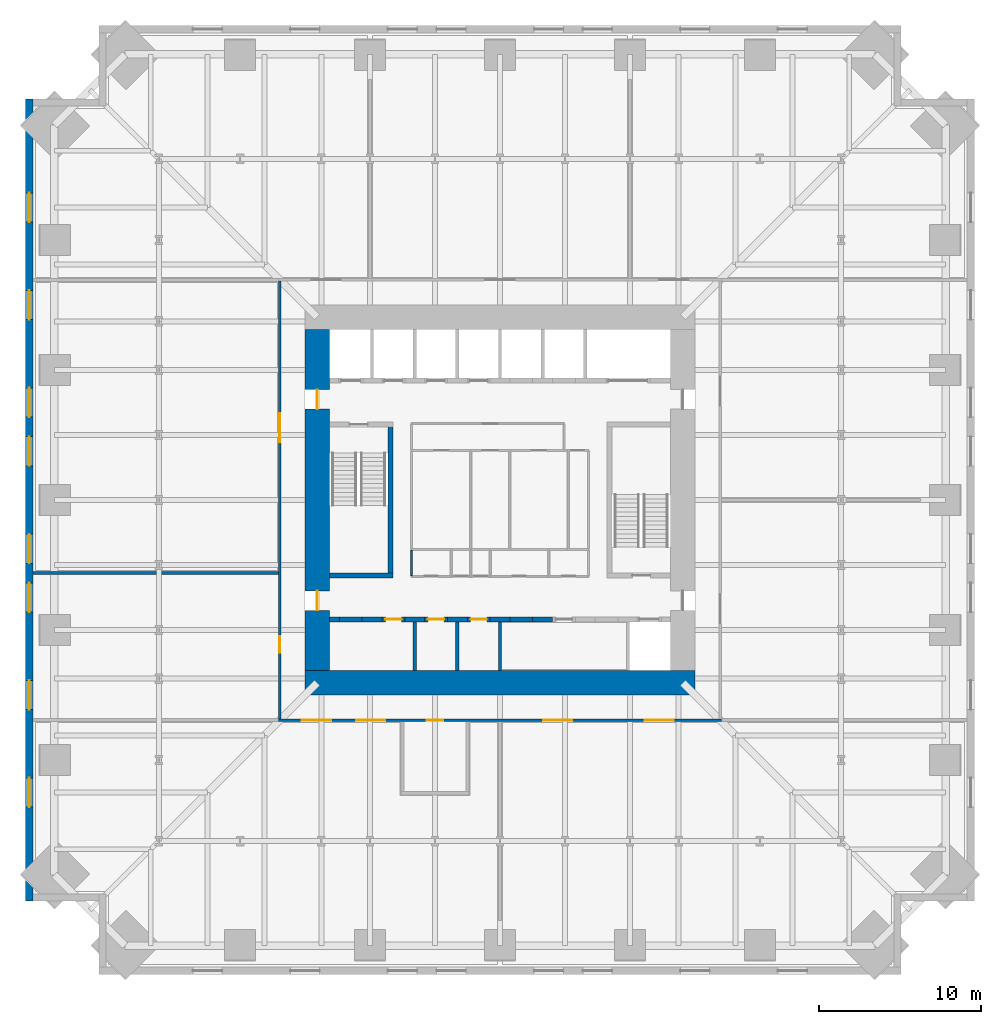
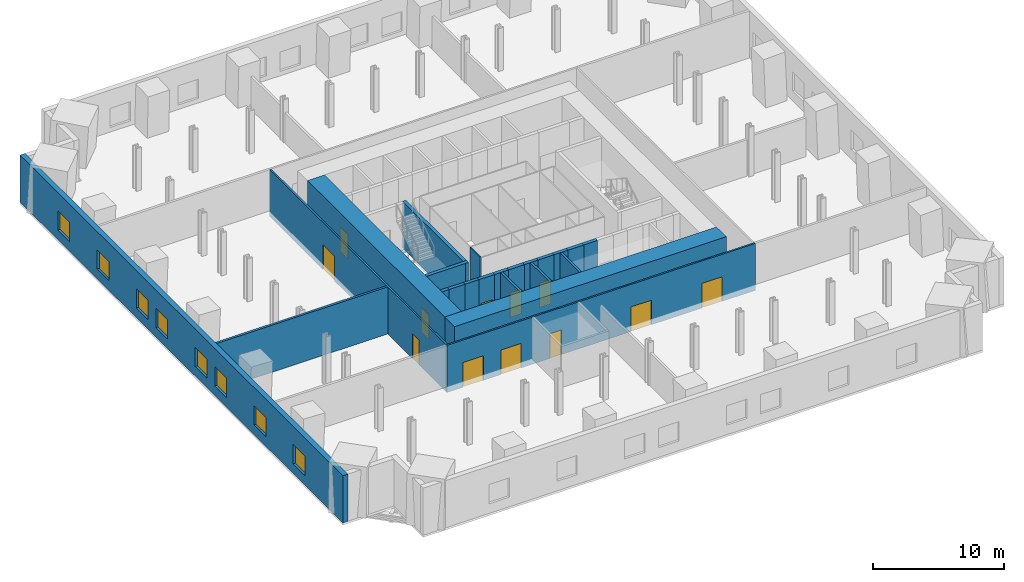
# One storey, part 4 of 8: 23 walls, 12 doors, 8 windows, 20 openings.
"""IFC4 building model written with IfcOpenShell, lengths in metres."""

from ifc_helpers import new_model, si_unit, direction, frame, frame_2d, origin, place, context, subcontext, project, spatial, rectangle, extrude, material, layer, layer_set, type_object, element, fill, save


model = new_model("IFC4")

# Units and contexts
model_context = context("Model", 3, precision=1e-05, world=origin(), true_north=direction((0.0, 1.0)))
body_context = subcontext(model_context, "Body", "Model", "MODEL_VIEW")
ifc_project = project(units=[si_unit("LENGTHUNIT", "METRE"), si_unit("AREAUNIT", "SQUARE_METRE"), si_unit("VOLUMEUNIT", "CUBIC_METRE"), si_unit("PLANEANGLEUNIT", "RADIAN"), si_unit("MASSUNIT", "GRAM", prefix="KILO")], contexts=[model_context])

# Site, building, storey
site_placement = place(None, origin())
site = spatial("IfcSite", under=ifc_project, at=site_placement, CompositionType="ELEMENT")
building_placement = place(site_placement, origin())
building = spatial("IfcBuilding", under=site, at=building_placement, Name="Peilmerk Tower", CompositionType="ELEMENT")
storey_placement = place(building_placement, frame((0.0, 0.0, 86.0)))
storey = spatial("IfcBuildingStorey", under=building, at=storey_placement, Name="L16", CompositionType="ELEMENT", Elevation=86.0)

# Wall, openings, windows
ifc_material_1 = material(Name="Precast concrete C45/55, board-marked finish", Category="concrete")
ifc_layer_1 = layer(ifc_material_1, 0.449951171875)
ifc_layer_set_1 = layer_set([ifc_layer_1], Name="Precast concrete C45/55, board-marked finish")
wall_type_1 = type_object("IfcWallType", Name="EW1 450 precast concrete facade wall, board-marked", PredefinedType="SOLIDWALL", material=ifc_layer_set_1)
wall_1_placement = place(storey_placement, frame((-28.97509765625, 24.699951171875, 0.0), z_axis=(0.0, 0.0, 1.0), x_axis=(0.0, -1.0, 0.0)))
wall_1 = element("IfcWall", 1, at=wall_1_placement, inside=storey, type_object=wall_type_1, Name="Facade wall W L16", PredefinedType="SOLIDWALL", context=body_context, shape_type="SweptSolid", body=[
    extrude(rectangle(XDim=49.39990234375, YDim=0.449951171875, at=frame_2d((24.699951171875, 0.0))), origin(), (0.0, 0.0, 1.0), 4.39990234375),
])
opening_1_placement = place(wall_1_placement, frame((5.800048828125, 0.0, 0.89990234375)))
opening_1 = element("IfcOpeningElement", 2, at=opening_1_placement, cuts=wall_1, Name="Opening W3", PredefinedType="OPENING", context=body_context, shape_type="SweptSolid", body=[
    extrude(rectangle(XDim=1.800048828125, YDim=1.800048828125, at=frame_2d((0.89990234375, 0.89990234375))), frame((0.0, 0.23486328125, 0.0), z_axis=(0.0, -1.0, 0.0), x_axis=(1.0, 0.0, 0.0)), (0.0, 0.0, 1.0), 0.469970703125),
])
opening_2_placement = place(wall_1_placement, frame((11.800048828125, 0.0, 0.89990234375)))
opening_2 = element("IfcOpeningElement", 3, at=opening_2_placement, cuts=wall_1, Name="Opening W3", PredefinedType="OPENING", context=body_context, shape_type="SweptSolid", body=[
    extrude(rectangle(XDim=1.800048828125, YDim=1.800048828125, at=frame_2d((0.89990234375, 0.89990234375))), frame((0.0, 0.23486328125, 0.0), z_axis=(0.0, -1.0, 0.0), x_axis=(1.0, 0.0, 0.0)), (0.0, 0.0, 1.0), 0.469970703125),
])
opening_3_placement = place(wall_1_placement, frame((17.800048828125, 0.0, 0.89990234375)))
opening_3 = element("IfcOpeningElement", 4, at=opening_3_placement, cuts=wall_1, Name="Opening W3", PredefinedType="OPENING", context=body_context, shape_type="SweptSolid", body=[
    extrude(rectangle(XDim=1.800048828125, YDim=1.800048828125, at=frame_2d((0.89990234375, 0.89990234375))), frame((0.0, 0.23486328125, 0.0), z_axis=(0.0, -1.0, 0.0), x_axis=(1.0, 0.0, 0.0)), (0.0, 0.0, 1.0), 0.469970703125),
])
opening_4_placement = place(wall_1_placement, frame((20.800048828125, 0.0, 0.89990234375)))
opening_4 = element("IfcOpeningElement", 5, at=opening_4_placement, cuts=wall_1, Name="Opening W3", PredefinedType="OPENING", context=body_context, shape_type="SweptSolid", body=[
    extrude(rectangle(XDim=1.800048828125, YDim=1.800048828125, at=frame_2d((0.89990234375, 0.89990234375))), frame((0.0, 0.23486328125, 0.0), z_axis=(0.0, -1.0, 0.0), x_axis=(1.0, 0.0, 0.0)), (0.0, 0.0, 1.0), 0.469970703125),
])
opening_5_placement = place(wall_1_placement, frame((26.800048828125, 0.0, 0.89990234375)))
opening_5 = element("IfcOpeningElement", 6, at=opening_5_placement, cuts=wall_1, Name="Opening W3", PredefinedType="OPENING", context=body_context, shape_type="SweptSolid", body=[
    extrude(rectangle(XDim=1.800048828125, YDim=1.800048828125, at=frame_2d((0.89990234375, 0.89990234375))), frame((0.0, 0.23486328125, 0.0), z_axis=(0.0, -1.0, 0.0), x_axis=(1.0, 0.0, 0.0)), (0.0, 0.0, 1.0), 0.469970703125),
])
opening_6_placement = place(wall_1_placement, frame((29.800048828125, 0.0, 0.89990234375)))
opening_6 = element("IfcOpeningElement", 7, at=opening_6_placement, cuts=wall_1, Name="Opening W3", PredefinedType="OPENING", context=body_context, shape_type="SweptSolid", body=[
    extrude(rectangle(XDim=1.800048828125, YDim=1.800048828125, at=frame_2d((0.89990234375, 0.89990234375))), frame((0.0, 0.23486328125, 0.0), z_axis=(0.0, -1.0, 0.0), x_axis=(1.0, 0.0, 0.0)), (0.0, 0.0, 1.0), 0.469970703125),
])
opening_7_placement = place(wall_1_placement, frame((35.800048828125, 0.0, 0.89990234375)))
opening_7 = element("IfcOpeningElement", 8, at=opening_7_placement, cuts=wall_1, Name="Opening W3", PredefinedType="OPENING", context=body_context, shape_type="SweptSolid", body=[
    extrude(rectangle(XDim=1.800048828125, YDim=1.800048828125, at=frame_2d((0.89990234375, 0.89990234375))), frame((0.0, 0.23486328125, 0.0), z_axis=(0.0, -1.0, 0.0), x_axis=(1.0, 0.0, 0.0)), (0.0, 0.0, 1.0), 0.469970703125),
])
opening_8_placement = place(wall_1_placement, frame((41.800048828125, 0.0, 0.89990234375)))
opening_8 = element("IfcOpeningElement", 9, at=opening_8_placement, cuts=wall_1, Name="Opening W3", PredefinedType="OPENING", context=body_context, shape_type="SweptSolid", body=[
    extrude(rectangle(XDim=1.800048828125, YDim=1.800048828125, at=frame_2d((0.89990234375, 0.89990234375))), frame((0.0, 0.23486328125, 0.0), z_axis=(0.0, -1.0, 0.0), x_axis=(1.0, 0.0, 0.0)), (0.0, 0.0, 1.0), 0.469970703125),
])
ifc_material_2 = material(Name="Aluminium frame, clear double glazing", Category="aluminium")
window_type = type_object("IfcWindowType", Name="W3 1800x1800 telecom floor window", PartitioningType="SINGLE_PANEL", PredefinedType="WINDOW", material=ifc_material_2)
window_1_placement = place(opening_1_placement, origin())
window_1 = element("IfcWindow", 10, at=window_1_placement, inside=storey, type_object=window_type, Name="Window W3 L16", OverallHeight=1.800048828125, OverallWidth=1.800048828125, PartitioningType="SINGLE_PANEL", PredefinedType="WINDOW", context=body_context, shape_type="SweptSolid", body=[
    extrude(rectangle(XDim=1.800048828125, YDim=1.800048828125, at=frame_2d((0.89990234375, 0.89990234375))), frame((0.0, 0.030029296875, 0.0), z_axis=(0.0, -1.0, 0.0), x_axis=(1.0, 0.0, 0.0)), (0.0, 0.0, 1.0), 0.06005859375),
])
fill(opening_1, window_1)
window_2_placement = place(opening_2_placement, origin())
window_2 = element("IfcWindow", 11, at=window_2_placement, inside=storey, type_object=window_type, Name="Window W3 L16", OverallHeight=1.800048828125, OverallWidth=1.800048828125, PartitioningType="SINGLE_PANEL", PredefinedType="WINDOW", context=body_context, shape_type="SweptSolid", body=[
    extrude(rectangle(XDim=1.800048828125, YDim=1.800048828125, at=frame_2d((0.89990234375, 0.89990234375))), frame((0.0, 0.030029296875, 0.0), z_axis=(0.0, -1.0, 0.0), x_axis=(1.0, 0.0, 0.0)), (0.0, 0.0, 1.0), 0.06005859375),
])
fill(opening_2, window_2)
window_3_placement = place(opening_3_placement, origin())
window_3 = element("IfcWindow", 12, at=window_3_placement, inside=storey, type_object=window_type, Name="Window W3 L16", OverallHeight=1.800048828125, OverallWidth=1.800048828125, PartitioningType="SINGLE_PANEL", PredefinedType="WINDOW", context=body_context, shape_type="SweptSolid", body=[
    extrude(rectangle(XDim=1.800048828125, YDim=1.800048828125, at=frame_2d((0.89990234375, 0.89990234375))), frame((0.0, 0.030029296875, 0.0), z_axis=(0.0, -1.0, 0.0), x_axis=(1.0, 0.0, 0.0)), (0.0, 0.0, 1.0), 0.06005859375),
])
fill(opening_3, window_3)
window_4_placement = place(opening_4_placement, origin())
window_4 = element("IfcWindow", 13, at=window_4_placement, inside=storey, type_object=window_type, Name="Window W3 L16", OverallHeight=1.800048828125, OverallWidth=1.800048828125, PartitioningType="SINGLE_PANEL", PredefinedType="WINDOW", context=body_context, shape_type="SweptSolid", body=[
    extrude(rectangle(XDim=1.800048828125, YDim=1.800048828125, at=frame_2d((0.89990234375, 0.89990234375))), frame((0.0, 0.030029296875, 0.0), z_axis=(0.0, -1.0, 0.0), x_axis=(1.0, 0.0, 0.0)), (0.0, 0.0, 1.0), 0.06005859375),
])
fill(opening_4, window_4)
window_5_placement = place(opening_5_placement, origin())
window_5 = element("IfcWindow", 14, at=window_5_placement, inside=storey, type_object=window_type, Name="Window W3 L16", OverallHeight=1.800048828125, OverallWidth=1.800048828125, PartitioningType="SINGLE_PANEL", PredefinedType="WINDOW", context=body_context, shape_type="SweptSolid", body=[
    extrude(rectangle(XDim=1.800048828125, YDim=1.800048828125, at=frame_2d((0.89990234375, 0.89990234375))), frame((0.0, 0.030029296875, 0.0), z_axis=(0.0, -1.0, 0.0), x_axis=(1.0, 0.0, 0.0)), (0.0, 0.0, 1.0), 0.06005859375),
])
fill(opening_5, window_5)
window_6_placement = place(opening_6_placement, origin())
window_6 = element("IfcWindow", 15, at=window_6_placement, inside=storey, type_object=window_type, Name="Window W3 L16", OverallHeight=1.800048828125, OverallWidth=1.800048828125, PartitioningType="SINGLE_PANEL", PredefinedType="WINDOW", context=body_context, shape_type="SweptSolid", body=[
    extrude(rectangle(XDim=1.800048828125, YDim=1.800048828125, at=frame_2d((0.89990234375, 0.89990234375))), frame((0.0, 0.030029296875, 0.0), z_axis=(0.0, -1.0, 0.0), x_axis=(1.0, 0.0, 0.0)), (0.0, 0.0, 1.0), 0.06005859375),
])
fill(opening_6, window_6)
window_7_placement = place(opening_7_placement, origin())
window_7 = element("IfcWindow", 16, at=window_7_placement, inside=storey, type_object=window_type, Name="Window W3 L16", OverallHeight=1.800048828125, OverallWidth=1.800048828125, PartitioningType="SINGLE_PANEL", PredefinedType="WINDOW", context=body_context, shape_type="SweptSolid", body=[
    extrude(rectangle(XDim=1.800048828125, YDim=1.800048828125, at=frame_2d((0.89990234375, 0.89990234375))), frame((0.0, 0.030029296875, 0.0), z_axis=(0.0, -1.0, 0.0), x_axis=(1.0, 0.0, 0.0)), (0.0, 0.0, 1.0), 0.06005859375),
])
fill(opening_7, window_7)
window_8_placement = place(opening_8_placement, origin())
window_8 = element("IfcWindow", 17, at=window_8_placement, inside=storey, type_object=window_type, Name="Window W3 L16", OverallHeight=1.800048828125, OverallWidth=1.800048828125, PartitioningType="SINGLE_PANEL", PredefinedType="WINDOW", context=body_context, shape_type="SweptSolid", body=[
    extrude(rectangle(XDim=1.800048828125, YDim=1.800048828125, at=frame_2d((0.89990234375, 0.89990234375))), frame((0.0, 0.030029296875, 0.0), z_axis=(0.0, -1.0, 0.0), x_axis=(1.0, 0.0, 0.0)), (0.0, 0.0, 1.0), 0.06005859375),
])
fill(opening_8, window_8)

# Wall, openings, doors
ifc_material_3 = material(Name="Calcium silicate block", Category="masonry")
ifc_layer_2 = layer(ifc_material_3, 0.14990234375)
ifc_layer_set_2 = layer_set([ifc_layer_2], Name="Calcium silicate block")
wall_type_2 = type_object("IfcWallType", Name="IW1 150 corridor partition, EI 60", PredefinedType="PARTITIONING", material=ifc_layer_set_2)
wall_2_placement = place(storey_placement, frame((13.625, -13.550048828125, 0.0), z_axis=(0.0, 0.0, 1.0), x_axis=(-1.0, 0.0, 0.0)))
wall_2 = element("IfcWall", 18, at=wall_2_placement, inside=storey, type_object=wall_type_2, Name="Corridor wall S L16", PredefinedType="PARTITIONING", context=body_context, shape_type="SweptSolid", body=[
    extrude(rectangle(XDim=27.25, YDim=0.14990234375, at=frame_2d((13.625, 0.0))), origin(), (0.0, 0.0, 1.0), 4.39990234375),
])
opening_9_placement = place(wall_2_placement, frame((24.02490234375, 0.0, 0.0)))
opening_9 = element("IfcOpeningElement", 19, at=opening_9_placement, cuts=wall_2, Name="Opening D2", PredefinedType="OPENING", context=body_context, shape_type="SweptSolid", body=[
    extrude(rectangle(XDim=1.800048828125, YDim=2.300048828125, at=frame_2d((0.89990234375, 1.14990234375))), frame((0.0, 0.0849609375, 0.0), z_axis=(0.0, -1.0, 0.0), x_axis=(1.0, 0.0, 0.0)), (0.0, 0.0, 1.0), 0.169921875),
])
opening_10_placement = place(wall_2_placement, frame((20.675048828125, 0.0, 0.0)))
opening_10 = element("IfcOpeningElement", 20, at=opening_10_placement, cuts=wall_2, Name="Opening D2", PredefinedType="OPENING", context=body_context, shape_type="SweptSolid", body=[
    extrude(rectangle(XDim=1.800048828125, YDim=2.300048828125, at=frame_2d((0.89990234375, 1.14990234375))), frame((0.0, 0.0849609375, 0.0), z_axis=(0.0, -1.0, 0.0), x_axis=(1.0, 0.0, 0.0)), (0.0, 0.0, 1.0), 0.169921875),
])
opening_11_placement = place(wall_2_placement, frame((9.175048828125, 0.0, 0.0)))
opening_11 = element("IfcOpeningElement", 21, at=opening_11_placement, cuts=wall_2, Name="Opening D2", PredefinedType="OPENING", context=body_context, shape_type="SweptSolid", body=[
    extrude(rectangle(XDim=1.800048828125, YDim=2.300048828125, at=frame_2d((0.89990234375, 1.14990234375))), frame((0.0, 0.0849609375, 0.0), z_axis=(0.0, -1.0, 0.0), x_axis=(1.0, 0.0, 0.0)), (0.0, 0.0, 1.0), 0.169921875),
])
opening_12_placement = place(wall_2_placement, frame((2.925048828125, 0.0, 0.0)))
opening_12 = element("IfcOpeningElement", 22, at=opening_12_placement, cuts=wall_2, Name="Opening D2", PredefinedType="OPENING", context=body_context, shape_type="SweptSolid", body=[
    extrude(rectangle(XDim=1.800048828125, YDim=2.300048828125, at=frame_2d((0.89990234375, 1.14990234375))), frame((0.0, 0.0849609375, 0.0), z_axis=(0.0, -1.0, 0.0), x_axis=(1.0, 0.0, 0.0)), (0.0, 0.0, 1.0), 0.169921875),
])
opening_13_placement = place(wall_2_placement, frame((17.125, 0.0, 0.0)))
opening_13 = element("IfcOpeningElement", 23, at=opening_13_placement, cuts=wall_2, Name="Opening D1", PredefinedType="OPENING", context=body_context, shape_type="SweptSolid", body=[
    extrude(rectangle(XDim=1.0, YDim=2.300048828125, at=frame_2d((0.5, 1.14990234375))), frame((0.0, 0.0849609375, 0.0), z_axis=(0.0, -1.0, 0.0), x_axis=(1.0, 0.0, 0.0)), (0.0, 0.0, 1.0), 0.169921875),
])
ifc_material_4 = material(Name="Timber door in steel frame", Category="steel")
door_type_1 = type_object("IfcDoorType", Name="D1 1000x2300 room door, EI2 30", OperationType="SINGLE_SWING_LEFT", PredefinedType="DOOR", material=ifc_material_4)
door_1_placement = place(opening_13_placement, origin())
door_1 = element("IfcDoor", 24, at=door_1_placement, inside=storey, type_object=door_type_1, Name="Door Operations office L16", OperationType="SINGLE_SWING_LEFT", OverallHeight=2.300048828125, OverallWidth=1.0, PredefinedType="DOOR", context=body_context, shape_type="SweptSolid", body=[
    extrude(rectangle(XDim=1.0, YDim=2.300048828125, at=frame_2d((0.5, 1.14990234375))), frame((0.0, 0.02490234375, 0.0), z_axis=(0.0, -1.0, 0.0), x_axis=(1.0, 0.0, 0.0)), (0.0, 0.0, 1.0), 0.050048828125),
])
fill(opening_13, door_1)
ifc_material_5 = material(Name="Steel door in steel frame", Category="steel")
door_type_2 = type_object("IfcDoorType", Name="D2 1800x2300 double door, EI2 60", OperationType="DOUBLE_DOOR_DOUBLE_SWING", PredefinedType="DOOR", material=ifc_material_5)
door_2_placement = place(opening_9_placement, origin())
door_2 = element("IfcDoor", 25, at=door_2_placement, inside=storey, type_object=door_type_2, Name="Door Carrier room A L16", OperationType="DOUBLE_DOOR_DOUBLE_SWING", OverallHeight=2.300048828125, OverallWidth=1.800048828125, PredefinedType="DOOR", context=body_context, shape_type="SweptSolid", body=[
    extrude(rectangle(XDim=1.800048828125, YDim=2.300048828125, at=frame_2d((0.89990234375, 1.14990234375))), frame((0.0, 0.02490234375, 0.0), z_axis=(0.0, -1.0, 0.0), x_axis=(1.0, 0.0, 0.0)), (0.0, 0.0, 1.0), 0.050048828125),
])
fill(opening_9, door_2)
door_3_placement = place(opening_10_placement, origin())
door_3 = element("IfcDoor", 26, at=door_3_placement, inside=storey, type_object=door_type_2, Name="Door Carrier room A L16", OperationType="DOUBLE_DOOR_DOUBLE_SWING", OverallHeight=2.300048828125, OverallWidth=1.800048828125, PredefinedType="DOOR", context=body_context, shape_type="SweptSolid", body=[
    extrude(rectangle(XDim=1.800048828125, YDim=2.300048828125, at=frame_2d((0.89990234375, 1.14990234375))), frame((0.0, 0.02490234375, 0.0), z_axis=(0.0, -1.0, 0.0), x_axis=(1.0, 0.0, 0.0)), (0.0, 0.0, 1.0), 0.050048828125),
])
fill(opening_10, door_3)
door_4_placement = place(opening_11_placement, origin())
door_4 = element("IfcDoor", 27, at=door_4_placement, inside=storey, type_object=door_type_2, Name="Door Carrier room B L16", OperationType="DOUBLE_DOOR_DOUBLE_SWING", OverallHeight=2.300048828125, OverallWidth=1.800048828125, PredefinedType="DOOR", context=body_context, shape_type="SweptSolid", body=[
    extrude(rectangle(XDim=1.800048828125, YDim=2.300048828125, at=frame_2d((0.89990234375, 1.14990234375))), frame((0.0, 0.02490234375, 0.0), z_axis=(0.0, -1.0, 0.0), x_axis=(1.0, 0.0, 0.0)), (0.0, 0.0, 1.0), 0.050048828125),
])
fill(opening_11, door_4)
door_5_placement = place(opening_12_placement, origin())
door_5 = element("IfcDoor", 28, at=door_5_placement, inside=storey, type_object=door_type_2, Name="Door Carrier room B L16", OperationType="DOUBLE_DOOR_DOUBLE_SWING", OverallHeight=2.300048828125, OverallWidth=1.800048828125, PredefinedType="DOOR", context=body_context, shape_type="SweptSolid", body=[
    extrude(rectangle(XDim=1.800048828125, YDim=2.300048828125, at=frame_2d((0.89990234375, 1.14990234375))), frame((0.0, 0.02490234375, 0.0), z_axis=(0.0, -1.0, 0.0), x_axis=(1.0, 0.0, 0.0)), (0.0, 0.0, 1.0), 0.050048828125),
])
fill(opening_12, door_5)

wall_3_placement = place(storey_placement, frame((-13.550048828125, 13.47509765625, 0.0), z_axis=(0.0, 0.0, 1.0), x_axis=(0.0, -1.0, 0.0)))
wall_3 = element("IfcWall", 29, at=wall_3_placement, inside=storey, type_object=wall_type_2, Name="Corridor wall W L16", PredefinedType="PARTITIONING", context=body_context, shape_type="SweptSolid", body=[
    extrude(rectangle(XDim=26.9501953125, YDim=0.14990234375, at=frame_2d((13.47509765625, 0.0))), origin(), (0.0, 0.0, 1.0), 4.39990234375),
])
opening_14_placement = place(wall_3_placement, frame((21.875, 0.0, 0.0)))
opening_14 = element("IfcOpeningElement", 30, at=opening_14_placement, cuts=wall_3, Name="Opening D1", PredefinedType="OPENING", context=body_context, shape_type="SweptSolid", body=[
    extrude(rectangle(XDim=1.0, YDim=2.300048828125, at=frame_2d((0.5, 1.14990234375))), frame((0.0, 0.0849609375, 0.0), z_axis=(0.0, -1.0, 0.0), x_axis=(1.0, 0.0, 0.0)), (0.0, 0.0, 1.0), 0.169921875),
])
opening_15_placement = place(wall_3_placement, frame((8.125, 0.0, 0.0)))
opening_15 = element("IfcOpeningElement", 31, at=opening_15_placement, cuts=wall_3, Name="Opening D2", PredefinedType="OPENING", context=body_context, shape_type="SweptSolid", body=[
    extrude(rectangle(XDim=1.800048828125, YDim=2.300048828125, at=frame_2d((0.89990234375, 1.14990234375))), frame((0.0, 0.0849609375, 0.0), z_axis=(0.0, -1.0, 0.0), x_axis=(1.0, 0.0, 0.0)), (0.0, 0.0, 1.0), 0.169921875),
])
door_6_placement = place(opening_14_placement, frame((1.0, 0.0, 0.0), z_axis=(0.0, 0.0, 1.0), x_axis=(-1.0, 0.0, 0.0)))
door_6 = element("IfcDoor", 32, at=door_6_placement, inside=storey, type_object=door_type_1, Name="Door Splicing room L16", OperationType="SINGLE_SWING_LEFT", OverallHeight=2.300048828125, OverallWidth=1.0, PredefinedType="DOOR", context=body_context, shape_type="SweptSolid", body=[
    extrude(rectangle(XDim=1.0, YDim=2.300048828125, at=frame_2d((0.5, 1.14990234375))), frame((0.0, 0.02490234375, 0.0), z_axis=(0.0, -1.0, 0.0), x_axis=(1.0, 0.0, 0.0)), (0.0, 0.0, 1.0), 0.050048828125),
])
fill(opening_14, door_6)
door_7_placement = place(opening_15_placement, frame((1.800048828125, 0.0, 0.0), z_axis=(0.0, 0.0, 1.0), x_axis=(-1.0, 0.0, 0.0)))
door_7 = element("IfcDoor", 33, at=door_7_placement, inside=storey, type_object=door_type_2, Name="Door Fibre distribution room L16", OperationType="DOUBLE_DOOR_DOUBLE_SWING", OverallHeight=2.300048828125, OverallWidth=1.800048828125, PredefinedType="DOOR", context=body_context, shape_type="SweptSolid", body=[
    extrude(rectangle(XDim=1.800048828125, YDim=2.300048828125, at=frame_2d((0.89990234375, 1.14990234375))), frame((0.0, 0.02490234375, 0.0), z_axis=(0.0, -1.0, 0.0), x_axis=(1.0, 0.0, 0.0)), (0.0, 0.0, 1.0), 0.050048828125),
])
fill(opening_15, door_7)

# Walls
ifc_layer_3 = layer(ifc_material_3, 0.199951171875)
ifc_layer_set_3 = layer_set([ifc_layer_3], Name="Calcium silicate block")
wall_type_3 = type_object("IfcWallType", Name="IW2 200 room separating wall, EI 120", PredefinedType="PARTITIONING", material=ifc_layer_set_3)
wall_4_placement = place(storey_placement, frame((-13.625, -4.5, 0.0), z_axis=(0.0, 0.0, 1.0), x_axis=(-1.0, 0.0, 0.0)))
element("IfcWall", 34, at=wall_4_placement, inside=storey, type_object=wall_type_3, Name="Room separating wall W1 L16", PredefinedType="PARTITIONING", context=body_context, shape_type="SweptSolid", body=[
    extrude(rectangle(XDim=15.125, YDim=0.199951171875, at=frame_2d((7.5625, 0.0))), origin(), (0.0, 0.0, 1.0), 4.39990234375),
])
ifc_material_6 = material(Name="Concrete C35/45", Category="concrete")
ifc_layer_4 = layer(ifc_material_6, 0.300048828125)
ifc_layer_set_4 = layer_set([ifc_layer_4], Name="Concrete C35/45")
wall_type_4 = type_object("IfcWallType", Name="IW3 300 concrete stair enclosure wall, EI 120", PredefinedType="SOLIDWALL", material=ifc_layer_set_4)
wall_5_placement = place(storey_placement, frame((-6.75, -4.800048828125, 0.0), z_axis=(0.0, 0.0, 1.0), x_axis=(0.0, 1.0, 0.0)))
element("IfcWall", 35, at=wall_5_placement, inside=storey, type_object=wall_type_4, Name="Stair 1 enclosure L16", PredefinedType="SOLIDWALL", context=body_context, shape_type="SweptSolid", body=[
    extrude(rectangle(XDim=9.60009765625, YDim=0.300048828125, at=frame_2d((4.800048828125, 0.0))), origin(), (0.0, 0.0, 1.0), 4.35009765625),
])
wall_6_placement = place(storey_placement, frame((-6.60009765625, -4.64990234375, 0.0), z_axis=(0.0, 0.0, 1.0), x_axis=(-1.0, 0.0, 0.0)))
element("IfcWall", 36, at=wall_6_placement, inside=storey, type_object=wall_type_4, Name="Stair 1 enclosure L16", PredefinedType="SOLIDWALL", context=body_context, shape_type="SweptSolid", body=[
    extrude(rectangle(XDim=3.89990234375, YDim=0.300048828125, at=frame_2d((1.949951171875, 0.0))), origin(), (0.0, 0.0, 1.0), 4.35009765625),
])
ifc_material_7 = material(Name="Calcium silicate board on steel studs", Category="steel")
ifc_layer_5 = layer(ifc_material_7, 0.10009765625)
ifc_layer_set_5 = layer_set([ifc_layer_5], Name="Calcium silicate board on steel studs")
wall_type_5 = type_object("IfcWallType", Name="IW5 100 riser enclosure wall, EI 60", PredefinedType="PARTITIONING", material=ifc_layer_set_5)
wall_7_placement = place(storey_placement, frame((-5.449951171875, -3.10009765625, 0.0), z_axis=(0.0, 0.0, 1.0), x_axis=(0.0, -1.0, 0.0)))
element("IfcWall", 37, at=wall_7_placement, inside=storey, type_object=wall_type_5, Name="Riser wall L16", PredefinedType="PARTITIONING", context=body_context, shape_type="SweptSolid", body=[
    extrude(rectangle(XDim=1.5498046875, YDim=0.10009765625, at=frame_2d((0.77490234375, 0.0))), origin(), (0.0, 0.0, 1.0), 4.35009765625),
])
ifc_layer_6 = layer(ifc_material_3, 0.199951171875)
ifc_layer_set_6 = layer_set([ifc_layer_6], Name="Calcium silicate block")
wall_type_6 = type_object("IfcWallType", Name="SH1 200 shaft dividing wall, EI 120", PredefinedType="PARTITIONING", material=ifc_layer_set_6)
for number, where, z_axis, x_axis, name in (
    (38, (-5.25, -10.5, 0.0), (0.0, 0.0, 1.0), (0.0, 1.0, 0.0), "Shaft wall S C3 L16"),
    (39, (-2.625, -10.5, 0.0), (0.0, 0.0, 1.0), (0.0, 1.0, 0.0), "Shaft wall S C2 L16"),
    (40, (0.0, -10.5, 0.0), (0.0, 0.0, 1.0), (0.0, 1.0, 0.0), "Shaft wall S C1 L16"),
):
    element("IfcWall", number, at=place(storey_placement, frame(where, z_axis=z_axis, x_axis=x_axis)), inside=storey, type_object=wall_type_6, Name=name, PredefinedType="PARTITIONING", context=body_context, shape_type="SweptSolid", body=[
        extrude(rectangle(XDim=3.0, YDim=0.199951171875, at=frame_2d((1.5, 0.0))), origin(), (0.0, 0.0, 1.0), 4.60009765625),
    ])
ifc_layer_7 = layer(ifc_material_3, 0.300048828125)
ifc_layer_set_7 = layer_set([ifc_layer_7], Name="Calcium silicate block")
wall_type_7 = type_object("IfcWallType", Name="SH2 300 lift landing door panel, EI 120", PredefinedType="PARTITIONING", material=ifc_layer_set_7)
wall_8_placement = place(storey_placement, frame((-9.887451171875, -7.35009765625, 0.0), z_axis=(0.0, 0.0, 1.0), x_axis=(1.0, 0.0, 0.0)))
element("IfcWall", 41, at=wall_8_placement, inside=storey, type_object=wall_type_7, Name="Lift door panel S C4 L16", PredefinedType="PARTITIONING", context=body_context, shape_type="SweptSolid", body=[
    extrude(rectangle(XDim=1.39990234375, YDim=0.300048828125, at=frame_2d((0.699951171875, 0.0))), origin(), (0.0, 0.0, 1.0), 4.60009765625),
])

# Wall, opening, door
wall_9_placement = place(storey_placement, frame((-7.262451171875, -7.35009765625, 0.0), z_axis=(0.0, 0.0, 1.0), x_axis=(1.0, 0.0, 0.0)))
wall_9 = element("IfcWall", 42, at=wall_9_placement, inside=storey, type_object=wall_type_7, Name="Lift door panel S C3 L16", PredefinedType="PARTITIONING", context=body_context, shape_type="SweptSolid", body=[
    extrude(rectangle(XDim=1.39990234375, YDim=0.300048828125, at=frame_2d((0.699951171875, 0.0))), origin(), (0.0, 0.0, 1.0), 4.60009765625),
])
opening_16_placement = place(wall_9_placement, frame((0.199951171875, 0.0, 0.0)))
opening_16 = element("IfcOpeningElement", 43, at=opening_16_placement, cuts=wall_9, Name="Opening D10", PredefinedType="OPENING", context=body_context, shape_type="SweptSolid", body=[
    extrude(rectangle(XDim=1.0, YDim=2.300048828125, at=frame_2d((0.5, 1.14990234375))), frame((0.0, 0.159912109375, 0.0), z_axis=(0.0, -1.0, 0.0), x_axis=(1.0, 0.0, 0.0)), (0.0, 0.0, 1.0), 0.320068359375),
])
door_type_3 = type_object("IfcDoorType", Name="D10 1000x2300 core room door, EI2 60", OperationType="SINGLE_SWING_RIGHT", PredefinedType="DOOR", material=ifc_material_5)
door_8_placement = place(opening_16_placement, frame((1.0, 0.0, 0.0), z_axis=(0.0, 0.0, 1.0), x_axis=(-1.0, 0.0, 0.0)))
door_8 = element("IfcDoor", 44, at=door_8_placement, inside=storey, type_object=door_type_3, Name="Door Waste room L16", OperationType="SINGLE_SWING_RIGHT", OverallHeight=2.300048828125, OverallWidth=1.0, PredefinedType="DOOR", context=body_context, shape_type="SweptSolid", body=[
    extrude(rectangle(XDim=1.0, YDim=2.300048828125, at=frame_2d((0.5, 1.14990234375))), frame((0.0, 0.02490234375, 0.0), z_axis=(0.0, -1.0, 0.0), x_axis=(1.0, 0.0, 0.0)), (0.0, 0.0, 1.0), 0.050048828125),
])
fill(opening_16, door_8)

wall_10_placement = place(storey_placement, frame((-4.637451171875, -7.35009765625, 0.0), z_axis=(0.0, 0.0, 1.0), x_axis=(1.0, 0.0, 0.0)))
wall_10 = element("IfcWall", 45, at=wall_10_placement, inside=storey, type_object=wall_type_7, Name="Lift door panel S C2 L16", PredefinedType="PARTITIONING", context=body_context, shape_type="SweptSolid", body=[
    extrude(rectangle(XDim=1.39990234375, YDim=0.300048828125, at=frame_2d((0.699951171875, 0.0))), origin(), (0.0, 0.0, 1.0), 4.60009765625),
])
opening_17_placement = place(wall_10_placement, frame((0.199951171875, 0.0, 0.0)))
opening_17 = element("IfcOpeningElement", 46, at=opening_17_placement, cuts=wall_10, Name="Opening D10", PredefinedType="OPENING", context=body_context, shape_type="SweptSolid", body=[
    extrude(rectangle(XDim=1.0, YDim=2.300048828125, at=frame_2d((0.5, 1.14990234375))), frame((0.0, 0.159912109375, 0.0), z_axis=(0.0, -1.0, 0.0), x_axis=(1.0, 0.0, 0.0)), (0.0, 0.0, 1.0), 0.320068359375),
])
door_9_placement = place(opening_17_placement, frame((1.0, 0.0, 0.0), z_axis=(0.0, 0.0, 1.0), x_axis=(-1.0, 0.0, 0.0)))
door_9 = element("IfcDoor", 47, at=door_9_placement, inside=storey, type_object=door_type_3, Name="Door Electrical room L16", OperationType="SINGLE_SWING_RIGHT", OverallHeight=2.300048828125, OverallWidth=1.0, PredefinedType="DOOR", context=body_context, shape_type="SweptSolid", body=[
    extrude(rectangle(XDim=1.0, YDim=2.300048828125, at=frame_2d((0.5, 1.14990234375))), frame((0.0, 0.02490234375, 0.0), z_axis=(0.0, -1.0, 0.0), x_axis=(1.0, 0.0, 0.0)), (0.0, 0.0, 1.0), 0.050048828125),
])
fill(opening_17, door_9)

wall_11_placement = place(storey_placement, frame((-2.012451171875, -7.35009765625, 0.0), z_axis=(0.0, 0.0, 1.0), x_axis=(1.0, 0.0, 0.0)))
wall_11 = element("IfcWall", 48, at=wall_11_placement, inside=storey, type_object=wall_type_7, Name="Lift door panel S C1 L16", PredefinedType="PARTITIONING", context=body_context, shape_type="SweptSolid", body=[
    extrude(rectangle(XDim=1.39990234375, YDim=0.300048828125, at=frame_2d((0.699951171875, 0.0))), origin(), (0.0, 0.0, 1.0), 4.60009765625),
])
opening_18_placement = place(wall_11_placement, frame((0.199951171875, 0.0, 0.0)))
opening_18 = element("IfcOpeningElement", 49, at=opening_18_placement, cuts=wall_11, Name="Opening D10", PredefinedType="OPENING", context=body_context, shape_type="SweptSolid", body=[
    extrude(rectangle(XDim=1.0, YDim=2.300048828125, at=frame_2d((0.5, 1.14990234375))), frame((0.0, 0.159912109375, 0.0), z_axis=(0.0, -1.0, 0.0), x_axis=(1.0, 0.0, 0.0)), (0.0, 0.0, 1.0), 0.320068359375),
])
door_10_placement = place(opening_18_placement, frame((1.0, 0.0, 0.0), z_axis=(0.0, 0.0, 1.0), x_axis=(-1.0, 0.0, 0.0)))
door_10 = element("IfcDoor", 50, at=door_10_placement, inside=storey, type_object=door_type_3, Name="Door Staff WC L16", OperationType="SINGLE_SWING_RIGHT", OverallHeight=2.300048828125, OverallWidth=1.0, PredefinedType="DOOR", context=body_context, shape_type="SweptSolid", body=[
    extrude(rectangle(XDim=1.0, YDim=2.300048828125, at=frame_2d((0.5, 1.14990234375))), frame((0.0, 0.02490234375, 0.0), z_axis=(0.0, -1.0, 0.0), x_axis=(1.0, 0.0, 0.0)), (0.0, 0.0, 1.0), 0.050048828125),
])
fill(opening_18, door_10)

# Walls
wall_12_placement = place(storey_placement, frame((0.612548828125, -7.35009765625, 0.0), z_axis=(0.0, 0.0, 1.0), x_axis=(1.0, 0.0, 0.0)))
element("IfcWall", 51, at=wall_12_placement, inside=storey, type_object=wall_type_7, Name="Lift door panel S B3 L16", PredefinedType="PARTITIONING", context=body_context, shape_type="SweptSolid", body=[
    extrude(rectangle(XDim=1.39990234375, YDim=0.300048828125, at=frame_2d((0.699951171875, 0.0))), origin(), (0.0, 0.0, 1.0), 4.60009765625),
])
ifc_material_8 = material(Name="Concrete C55/67", Category="concrete")
ifc_layer_8 = layer(ifc_material_8, 1.5)
ifc_layer_set_8 = layer_set([ifc_layer_8], Name="Concrete C55/67")
wall_type_8 = type_object("IfcWallType", Name="SW1 1500 core wall", PredefinedType="SHEAR", material=ifc_layer_set_8)
wall_13_placement = place(storey_placement, frame((12.0, -11.25, 0.0), z_axis=(0.0, 0.0, 1.0), x_axis=(-1.0, 0.0, 0.0)))
element("IfcWall", 52, at=wall_13_placement, inside=storey, type_object=wall_type_8, Name="Core wall S L16", PredefinedType="SHEAR", context=body_context, shape_type="SweptSolid", body=[
    extrude(rectangle(XDim=24.0, YDim=1.5, at=frame_2d((12.0, 0.0))), origin(), (0.0, 0.0, 1.0), 4.60009765625),
])

# Wall, openings, doors
wall_14_placement = place(storey_placement, frame((-11.25, -10.5, 0.0), z_axis=(0.0, 0.0, 1.0), x_axis=(0.0, 1.0, 0.0)))
wall_14 = element("IfcWall", 53, at=wall_14_placement, inside=storey, type_object=wall_type_8, Name="Core wall W L16", PredefinedType="SHEAR", context=body_context, shape_type="SweptSolid", body=[
    extrude(rectangle(XDim=21.0, YDim=1.5, at=frame_2d((10.5, 0.0))), origin(), (0.0, 0.0, 1.0), 4.60009765625),
])
opening_19_placement = place(wall_14_placement, frame((16.10009765625, 0.0, 0.0)))
opening_19 = element("IfcOpeningElement", 54, at=opening_19_placement, cuts=wall_14, Name="Opening D3", PredefinedType="OPENING", context=body_context, shape_type="SweptSolid", body=[
    extrude(rectangle(XDim=1.199951171875, YDim=2.300048828125, at=frame_2d((0.60009765625, 1.14990234375))), frame((0.0, 0.760009765625, 0.0), z_axis=(0.0, -1.0, 0.0), x_axis=(1.0, 0.0, 0.0)), (0.0, 0.0, 1.0), 1.52001953125),
])
opening_20_placement = place(wall_14_placement, frame((3.699951171875, 0.0, 0.0)))
opening_20 = element("IfcOpeningElement", 55, at=opening_20_placement, cuts=wall_14, Name="Opening D3", PredefinedType="OPENING", context=body_context, shape_type="SweptSolid", body=[
    extrude(rectangle(XDim=1.199951171875, YDim=2.300048828125, at=frame_2d((0.60009765625, 1.14990234375))), frame((0.0, 0.760009765625, 0.0), z_axis=(0.0, -1.0, 0.0), x_axis=(1.0, 0.0, 0.0)), (0.0, 0.0, 1.0), 1.52001953125),
])
door_type_4 = type_object("IfcDoorType", Name="D3 1200x2300 core door, EI2 60", OperationType="SINGLE_SWING_LEFT", PredefinedType="DOOR", material=ifc_material_5)
door_11_placement = place(opening_19_placement, frame((1.199951171875, 0.0, 0.0), z_axis=(0.0, 0.0, 1.0), x_axis=(-1.0, 0.0, 0.0)))
door_11 = element("IfcDoor", 56, at=door_11_placement, inside=storey, type_object=door_type_4, Name="Core door L16", OperationType="SINGLE_SWING_LEFT", OverallHeight=2.300048828125, OverallWidth=1.199951171875, PredefinedType="DOOR", context=body_context, shape_type="SweptSolid", body=[
    extrude(rectangle(XDim=1.199951171875, YDim=2.300048828125, at=frame_2d((0.60009765625, 1.14990234375))), frame((0.0, 0.02490234375, 0.0), z_axis=(0.0, -1.0, 0.0), x_axis=(1.0, 0.0, 0.0)), (0.0, 0.0, 1.0), 0.050048828125),
])
fill(opening_19, door_11)
door_12_placement = place(opening_20_placement, frame((1.199951171875, 0.0, 0.0), z_axis=(0.0, 0.0, 1.0), x_axis=(-1.0, 0.0, 0.0)))
door_12 = element("IfcDoor", 57, at=door_12_placement, inside=storey, type_object=door_type_4, Name="Core door L16", OperationType="SINGLE_SWING_LEFT", OverallHeight=2.300048828125, OverallWidth=1.199951171875, PredefinedType="DOOR", context=body_context, shape_type="SweptSolid", body=[
    extrude(rectangle(XDim=1.199951171875, YDim=2.300048828125, at=frame_2d((0.60009765625, 1.14990234375))), frame((0.0, 0.02490234375, 0.0), z_axis=(0.0, -1.0, 0.0), x_axis=(1.0, 0.0, 0.0)), (0.0, 0.0, 1.0), 0.050048828125),
])
fill(opening_20, door_12)

# Walls
ifc_layer_9 = layer(ifc_material_8, 0.300048828125)
ifc_layer_set_9 = layer_set([ifc_layer_9], Name="Concrete C55/67")
wall_type_9 = type_object("IfcWallType", Name="SW2 300 lift bank pier", PredefinedType="SHEAR", material=ifc_layer_set_9)
wall_15_placement = place(storey_placement, frame((-10.5, -7.35009765625, 0.0), z_axis=(0.0, 0.0, 1.0), x_axis=(1.0, 0.0, 0.0)))
element("IfcWall", 58, at=wall_15_placement, inside=storey, type_object=wall_type_9, Name="Lift bank pier S L16", PredefinedType="SHEAR", context=body_context, shape_type="SweptSolid", body=[
    extrude(rectangle(XDim=0.612548828125, YDim=0.300048828125, at=frame_2d((0.30615234375, 0.0))), origin(), (0.0, 0.0, 1.0), 4.60009765625),
])
for number, where, z_axis, x_axis, name in (
    (59, (-8.487548828125, -7.35009765625, 0.0), (0.0, 0.0, 1.0), (1.0, 0.0, 0.0), "Lift bank pier S L16"),
    (60, (-5.862548828125, -7.35009765625, 0.0), (0.0, 0.0, 1.0), (1.0, 0.0, 0.0), "Lift bank pier S L16"),
    (61, (-3.237548828125, -7.35009765625, 0.0), (0.0, 0.0, 1.0), (1.0, 0.0, 0.0), "Lift bank pier S L16"),
    (62, (-0.612548828125, -7.35009765625, 0.0), (0.0, 0.0, 1.0), (1.0, 0.0, 0.0), "Lift bank pier S L16"),
    (63, (2.012451171875, -7.35009765625, 0.0), (0.0, 0.0, 1.0), (1.0, 0.0, 0.0), "Lift bank pier S L16"),
):
    element("IfcWall", number, at=place(storey_placement, frame(where, z_axis=z_axis, x_axis=x_axis)), inside=storey, type_object=wall_type_9, Name=name, PredefinedType="SHEAR", context=body_context, shape_type="SweptSolid", body=[
        extrude(rectangle(XDim=1.22509765625, YDim=0.300048828125, at=frame_2d((0.612548828125, 0.0))), origin(), (0.0, 0.0, 1.0), 4.60009765625),
    ])

save(model, "model.ifc")
